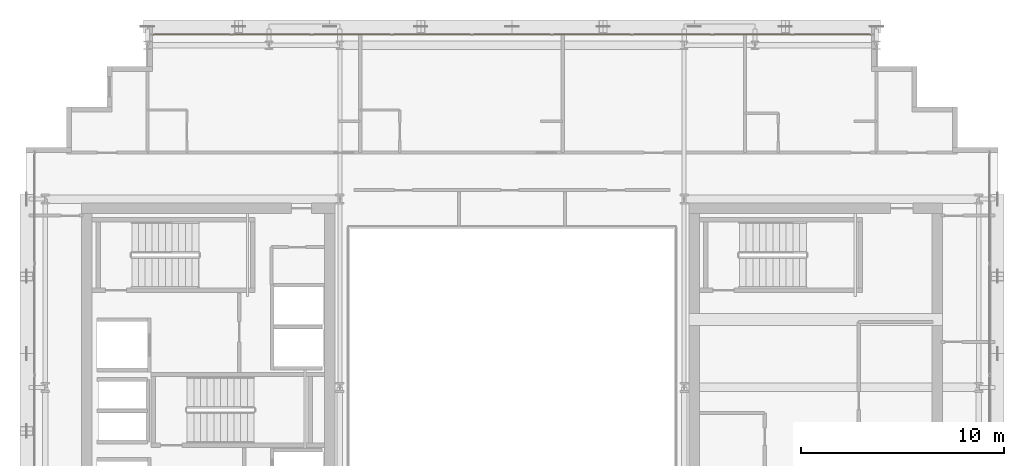
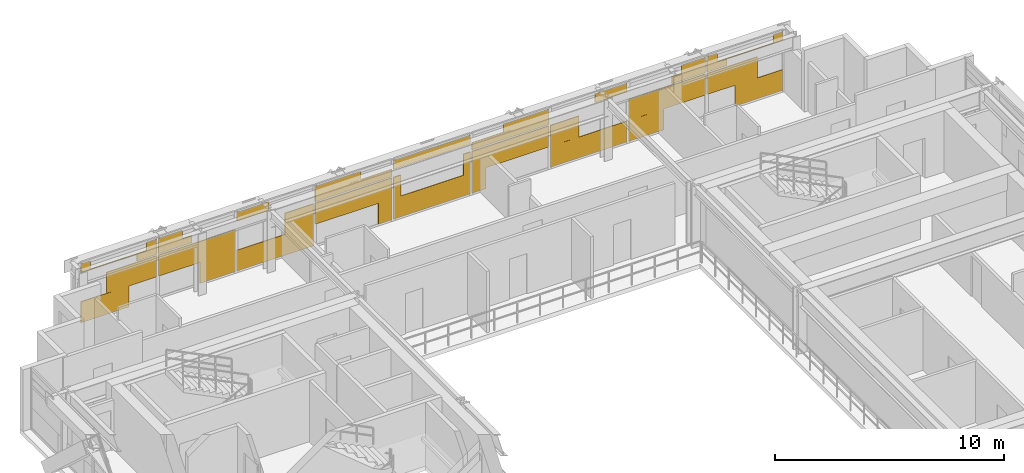
# One storey, part 32 of 32: 1 covering.
"""IFC4 building model written with IfcOpenShell, lengths in metres."""

import ifcopenshell
import ifcopenshell.guid

model = None  # the IFC model being written
_history = None  # IfcOwnerHistory: only IFC2X3 demands one
_inside = {}  # id of a spatial element -> (the spatial element, [elements in it])
_under = {}  # id of a project, library or spatial element -> (it, [spatial elements below it])
_declared = {}  # id of a project -> (the project, [libraries it declares])
_typed = {}  # id of a type object -> (the type object, [elements of that type])
_made_of = {}  # id of a material, layer set ... -> (it, [elements and type objects made of it])


def new_model(schema):
    """Start an empty IFC model of exactly this schema.

    Asked for "IFC4X3", IfcOpenShell would pick the latest addendum, in which some entities
    have other attributes; the version numbers below select the first issue.
    IFC2X3 requires an IfcOwnerHistory on every rooted entity: one is made here for all.
    """
    global model, _history
    if schema == "IFC4X3":
        model = ifcopenshell.file(schema_version=(4, 3, 0, 0))
    else:
        model = ifcopenshell.file(schema=schema)
    _inside.clear()
    _under.clear()
    _declared.clear()
    _typed.clear()
    _made_of.clear()
    _history = None
    if model.schema == "IFC2X3":
        org = make("IfcOrganization", Name="unknown")
        user = make(
            "IfcPersonAndOrganization",
            ThePerson=make("IfcPerson", FamilyName="unknown"),
            TheOrganization=org,
        )
        app = make(
            "IfcApplication",
            ApplicationDeveloper=org,
            Version="unknown",
            ApplicationFullName="unknown",
            ApplicationIdentifier="unknown",
        )
        _history = make(
            "IfcOwnerHistory",
            OwningUser=user,
            OwningApplication=app,
            ChangeAction="ADDED",
            CreationDate=0,
        )
    return model


def make(cls, **values):
    """One entity of the class cls with the attributes given. An attribute that is None is left unset."""
    return model.create_entity(
        cls, **{name: value for name, value in values.items() if value is not None}
    )


def rooted(cls, **values):
    """An entity with a GlobalId (a new one), such as an element, a storey or a relation."""
    return make(cls, GlobalId=ifcopenshell.guid.new(), OwnerHistory=_history, **values)


def si_unit(unit_type, name, prefix=None):
    """IfcSIUnit, for example si_unit("LENGTHUNIT", "METRE", prefix="MILLI")."""
    return make("IfcSIUnit", UnitType=unit_type, Prefix=prefix, Name=name)


def assignment(units):
    """IfcUnitAssignment: the units of a project."""
    return None if units is None else make("IfcUnitAssignment", Units=units)


def point(xyz):
    """IfcCartesianPoint."""
    return None if xyz is None else make("IfcCartesianPoint", Coordinates=xyz)


def direction(xyz):
    """IfcDirection."""
    return None if xyz is None else make("IfcDirection", DirectionRatios=xyz)


def frame(location, z_axis=None, x_axis=None):
    """IfcAxis2Placement3D, a coordinate frame: its origin and axes. An axis left out is left unset."""
    return make(
        "IfcAxis2Placement3D",
        Location=point(location),
        Axis=direction(z_axis),
        RefDirection=direction(x_axis),
    )


def frame_2d(location, x_axis=None):
    """IfcAxis2Placement2D, a coordinate frame in the plane: its origin and x axis."""
    return make(
        "IfcAxis2Placement2D", Location=point(location), RefDirection=direction(x_axis)
    )


def origin():
    """The frame at (0, 0, 0) with its axes left unset."""
    return frame((0.0, 0.0, 0.0))


def origin_2d():
    """The frame at (0, 0) in the plane with its x axis left unset."""
    return frame_2d((0.0, 0.0))


def place(relative_to, where):
    """IfcLocalPlacement: puts the frame where relative to a parent placement (None: the world)."""
    return make(
        "IfcLocalPlacement", PlacementRelTo=relative_to, RelativePlacement=where
    )


def context(
    kind, dimensions, precision=None, world=None, true_north=None, identifier=None
):
    """IfcGeometricRepresentationContext, for example the 3D "Model" context."""
    return make(
        "IfcGeometricRepresentationContext",
        ContextIdentifier=identifier,
        ContextType=kind,
        CoordinateSpaceDimension=dimensions,
        Precision=precision,
        WorldCoordinateSystem=world,
        TrueNorth=true_north,
    )


def subcontext(parent, identifier, kind, view, scale=None):
    """IfcGeometricRepresentationSubContext, for example "Body" below "Model"."""
    return make(
        "IfcGeometricRepresentationSubContext",
        ContextIdentifier=identifier,
        ContextType=kind,
        ParentContext=parent,
        TargetScale=scale,
        TargetView=view,
    )


def project(units=None, contexts=None):
    """IfcProject with its units and contexts."""
    return rooted(
        "IfcProject",
        Name="project",
        RepresentationContexts=contexts,
        UnitsInContext=assignment(units),
    )


def spatial(cls, under=None, at=None, **own):
    """A site, building, storey or space (cls), placed at a placement, below another one or the project."""
    s = rooted(cls, ObjectPlacement=at, **own)
    if under is not None:
        _under.setdefault(under.id(), (under, []))[1].append(s)
    return s


def profile(cls, at=None, kind="AREA", **sizes):
    """A parametric profile (cls). Its sizes go by their IFC names, for example OverallWidth=200.0."""
    return make(cls, ProfileType=kind, Position=at, **sizes)


def rectangle(**sizes):
    """IfcRectangleProfileDef."""
    return profile("IfcRectangleProfileDef", **sizes)


def extrude(swept, where, along, depth):
    """IfcExtrudedAreaSolid: the profile swept, set in the frame where, extruded along a direction by depth."""
    return make(
        "IfcExtrudedAreaSolid",
        SweptArea=swept,
        Position=where,
        ExtrudedDirection=direction(along),
        Depth=depth,
    )


def shape(context_of_items, identifier, shape_type, items):
    """IfcShapeRepresentation: the items that make up one representation, for example the "Body"."""
    return make(
        "IfcShapeRepresentation",
        ContextOfItems=context_of_items,
        RepresentationIdentifier=identifier,
        RepresentationType=shape_type,
        Items=items,
    )


def material(Name=None, Category=None):
    """IfcMaterial."""
    return make("IfcMaterial", Name=Name, Category=Category)


def layer(
    of_material, thickness, ventilated=None, Name=None, Category=None, Priority=None
):
    """IfcMaterialLayer: one layer of a wall or slab, of a material (None: an air gap)."""
    return make(
        "IfcMaterialLayer",
        Material=of_material,
        LayerThickness=thickness,
        IsVentilated=ventilated,
        Name=Name,
        Category=Category,
        Priority=Priority,
    )


def layer_set(layers, Name=None):
    """IfcMaterialLayerSet."""
    return make("IfcMaterialLayerSet", MaterialLayers=layers, LayerSetName=Name)


def made_of(thing, what):
    """Note that an element or type object is made of a material, layer set ...; save() writes the relation."""
    if what is not None:
        _made_of.setdefault(what.id(), (what, []))[1].append(thing)
    return thing


def type_object(cls, material=None, **own):
    """A type object (cls), such as IfcWallType, which elements share."""
    return made_of(rooted(cls, **own), material)


def element(
    cls,
    number,
    at=None,
    inside=None,
    cuts=None,
    type_object=None,
    material=None,
    context=None,
    identifier="Body",
    shape_type=None,
    held_by="IfcProductDefinitionShape",
    body=None,
    shapes=None,
    **own,
):
    """One element of the class cls, such as IfcWall. Its Tag is "e" and its number.

    at: its placement. inside: the storey or other place that contains it. cuts: it is an
    opening in that element (IfcRelVoidsElement). A single representation is given by context,
    identifier, shape_type and body (its items); several are given by shapes. held_by: the class
    of the entity that holds the representations. save() writes the other relations.
    """
    e = rooted(cls, Tag="e%d" % number, ObjectPlacement=at, **own)
    if body is not None:
        shapes = [shape(context, identifier, shape_type, body)]
    if shapes is not None:
        e.Representation = make(held_by, Representations=shapes)
    if inside is not None:
        _inside.setdefault(inside.id(), (inside, []))[1].append(e)
    if cuts is not None:
        rooted(
            "IfcRelVoidsElement", RelatingBuildingElement=cuts, RelatedOpeningElement=e
        )
    if type_object is not None:
        _typed.setdefault(type_object.id(), (type_object, []))[1].append(e)
    return made_of(e, material)


def aggregate(whole, parts):
    """IfcRelAggregates: a whole, such as a stair, and the parts it consists of."""
    return rooted("IfcRelAggregates", RelatingObject=whole, RelatedObjects=parts)


def save(model, path):
    """Write the relations noted so far, then the file.

    IfcRelAggregates (storeys below a building ...), IfcRelContainedInSpatialStructure (elements
    in a storey), IfcRelDefinesByType, IfcRelAssociatesMaterial and IfcRelDeclares: one each for
    every whole, place, type object, material and project.
    """
    for whole, parts in _under.values():
        aggregate(whole, parts)
    for where, things in _inside.values():
        rooted(
            "IfcRelContainedInSpatialStructure",
            RelatedElements=things,
            RelatingStructure=where,
        )
    for kind, things in _typed.values():
        rooted("IfcRelDefinesByType", RelatedObjects=things, RelatingType=kind)
    for what, things in _made_of.values():
        rooted("IfcRelAssociatesMaterial", RelatedObjects=things, RelatingMaterial=what)
    for by, libraries in _declared.values():
        rooted("IfcRelDeclares", RelatingContext=by, RelatedDefinitions=libraries)
    model.write(path)


model = new_model("IFC4")

# Units and contexts
model_context = context("Model", 3, precision=1e-05, world=origin(), true_north=direction((0.0, 1.0)))
body_context = subcontext(model_context, "Body", "Model", "MODEL_VIEW")
ifc_project = project(units=[si_unit("LENGTHUNIT", "METRE"), si_unit("AREAUNIT", "SQUARE_METRE"), si_unit("VOLUMEUNIT", "CUBIC_METRE"), si_unit("PLANEANGLEUNIT", "RADIAN"), si_unit("MASSUNIT", "GRAM", prefix="KILO")], contexts=[model_context])

# Site, building, storey
site_placement = place(None, origin())
site = spatial("IfcSite", under=ifc_project, at=site_placement, CompositionType="ELEMENT")
building_placement = place(site_placement, origin())
building = spatial("IfcBuilding", under=site, at=building_placement, Name="Ocotamira Hotel", CompositionType="ELEMENT")
storey_placement = place(building_placement, frame((0.0, 0.0, 217.199951171875)))
storey = spatial("IfcBuildingStorey", under=building, at=storey_placement, Name="L55", CompositionType="ELEMENT", Elevation=217.199951171875)

# Covering
ifc_material = material(Name="Insulated pale-metal aluminium spandrel panel", Category="aluminium")
ifc_layer = layer(ifc_material, 0.044921875)
ifc_layer_set = layer_set([ifc_layer], Name="Insulated pale-metal aluminium spandrel panel")
covering_type = type_object("IfcCoveringType", Name="COV-INFILL-45", PredefinedType="CLADDING", material=ifc_layer_set)
covering_placement = place(storey_placement, origin())
element("IfcCovering", 1, at=covering_placement, inside=storey, type_object=covering_type, Name="L55 Curtain Wall Infill CW-4 CW-L55-N", PredefinedType="CLADDING", context=body_context, shape_type="SweptSolid", body=[
    extrude(rectangle(XDim=2.433837890625, YDim=0.044921875, at=origin_2d()), frame((15.49755859375, 45.580078125, 0.07568359375), z_axis=(0.0, 0.0, 1.0), x_axis=(1.0, 0.0, 0.0)), (0.0, 0.0, 1.0), 1.117919921875),
    extrude(rectangle(XDim=2.537841796875, YDim=0.044921875, at=origin_2d()), frame((16.84619140625, 45.580078125, 1.1943359375), z_axis=(0.0, 0.0, 1.0), x_axis=(1.0, 0.0, 0.0)), (0.0, 0.0, 1.0), 1.11767578125),
    extrude(rectangle(XDim=3.834716796875, YDim=0.044921875, at=origin_2d()), frame((16.19775390625, 45.580078125, 2.7421875), z_axis=(0.0, 0.0, 1.0), x_axis=(1.0, 0.0, 0.0)), (0.0, 0.0, 1.0), 0.02685546875),
    extrude(rectangle(XDim=0.494873046875, YDim=0.044921875, at=origin_2d()), frame((14.528076171875, 45.580078125, 2.77001953125), z_axis=(0.0, 0.0, 1.0), x_axis=(1.0, 0.0, 0.0)), (0.0, 0.0, 1.0), 0.4345703125),
    extrude(rectangle(XDim=1.00732421875, YDim=0.044921875, at=origin_2d()), frame((17.611328125, 45.580078125, 2.38818359375), z_axis=(0.0, 0.0, 1.0), x_axis=(1.0, 0.0, 0.0)), (0.0, 0.0, 1.0), 0.35302734375),
    extrude(rectangle(XDim=0.517578125, YDim=0.044921875, at=origin_2d()), frame((17.856201171875, 45.580078125, 2.77001953125), z_axis=(0.0, 0.0, 1.0), x_axis=(1.0, 0.0, 0.0)), (0.0, 0.0, 1.0), 0.4345703125),
    extrude(rectangle(XDim=3.87451171875, YDim=0.044921875, at=origin_2d()), frame((20.13330078125, 45.580078125, 1.1943359375), z_axis=(0.0, 0.0, 1.0), x_axis=(1.0, 0.0, 0.0)), (0.0, 0.0, 1.0), 1.11767578125),
    extrude(rectangle(XDim=1.784912109375, YDim=0.044921875, at=origin_2d()), frame((21.177978515625, 45.580078125, 0.07568359375), z_axis=(0.0, 0.0, 1.0), x_axis=(1.0, 0.0, 0.0)), (0.0, 0.0, 1.0), 1.117919921875),
    extrude(rectangle(XDim=1.6962890625, YDim=0.044921875, at=origin_2d()), frame((19.044189453125, 45.580078125, 2.38818359375), z_axis=(0.0, 0.0, 1.0), x_axis=(1.0, 0.0, 0.0)), (0.0, 0.0, 1.0), 0.380859375),
    extrude(rectangle(XDim=1.20654296875, YDim=0.044921875, at=origin_2d()), frame((18.79931640625, 45.580078125, 2.77001953125), z_axis=(0.0, 0.0, 1.0), x_axis=(1.0, 0.0, 0.0)), (0.0, 0.0, 1.0), 0.4345703125),
    extrude(rectangle(XDim=3.87451171875, YDim=0.044921875, at=origin_2d()), frame((24.0888671875, 45.580078125, 0.07568359375), z_axis=(0.0, 0.0, 1.0), x_axis=(1.0, 0.0, 0.0)), (0.0, 0.0, 1.0), 1.117919921875),
    extrude(rectangle(XDim=1.448974609375, YDim=0.044921875, at=origin_2d()), frame((25.3017578125, 45.580078125, 1.1943359375), z_axis=(0.0, 0.0, 1.0), x_axis=(1.0, 0.0, 0.0)), (0.0, 0.0, 1.0), 1.11767578125),
    extrude(rectangle(XDim=1.623779296875, YDim=0.044921875, at=origin_2d()), frame((22.96337890625, 45.580078125, 2.7421875), z_axis=(0.0, 0.0, 1.0), x_axis=(1.0, 0.0, 0.0)), (0.0, 0.0, 1.0), 0.46240234375),
    extrude(rectangle(XDim=3.87451171875, YDim=0.044921875, at=origin_2d()), frame((28.04443359375, 45.580078125, 1.1943359375), z_axis=(0.0, 0.0, 1.0), x_axis=(1.0, 0.0, 0.0)), (0.0, 0.0, 1.0), 1.11767578125),
    extrude(rectangle(XDim=0.696044921875, YDim=0.044921875, at=origin_2d()), frame((29.6337890625, 45.580078125, 0.07568359375), z_axis=(0.0, 0.0, 1.0), x_axis=(1.0, 0.0, 0.0)), (0.0, 0.0, 1.0), 1.117919921875),
    extrude(rectangle(XDim=3.87451171875, YDim=0.044921875, at=origin_2d()), frame((28.04443359375, 45.580078125, 2.38818359375), z_axis=(0.0, 0.0, 1.0), x_axis=(1.0, 0.0, 0.0)), (0.0, 0.0, 1.0), 0.380859375),
    extrude(rectangle(XDim=2.29541015625, YDim=0.044921875, at=origin_2d()), frame((27.2548828125, 45.580078125, 2.77001953125), z_axis=(0.0, 0.0, 1.0), x_axis=(1.0, 0.0, 0.0)), (0.0, 0.0, 1.0), 0.4345703125),
    extrude(rectangle(XDim=3.87451171875, YDim=0.044921875, at=origin_2d()), frame((32.0, 45.580078125, 0.07568359375), z_axis=(0.0, 0.0, 1.0), x_axis=(1.0, 0.0, 0.0)), (0.0, 0.0, 1.0), 1.117919921875),
    extrude(rectangle(XDim=0.360107421875, YDim=0.044921875, at=origin_2d()), frame((30.24267578125, 45.580078125, 1.1943359375), z_axis=(0.0, 0.0, 1.0), x_axis=(1.0, 0.0, 0.0)), (0.0, 0.0, 1.0), 1.11767578125),
    extrude(rectangle(XDim=0.360107421875, YDim=0.044921875, at=origin_2d()), frame((33.75732421875, 45.580078125, 1.1943359375), z_axis=(0.0, 0.0, 1.0), x_axis=(1.0, 0.0, 0.0)), (0.0, 0.0, 1.0), 1.11767578125),
    extrude(rectangle(XDim=3.87451171875, YDim=0.044921875, at=origin_2d()), frame((32.0, 45.580078125, 2.7421875), z_axis=(0.0, 0.0, 1.0), x_axis=(1.0, 0.0, 0.0)), (0.0, 0.0, 1.0), 0.46240234375),
    extrude(rectangle(XDim=0.696044921875, YDim=0.044921875, at=origin_2d()), frame((34.3662109375, 45.580078125, 0.07568359375), z_axis=(0.0, 0.0, 1.0), x_axis=(1.0, 0.0, 0.0)), (0.0, 0.0, 1.0), 1.117919921875),
    extrude(rectangle(XDim=3.87451171875, YDim=0.044921875, at=origin_2d()), frame((35.95556640625, 45.580078125, 1.1943359375), z_axis=(0.0, 0.0, 1.0), x_axis=(1.0, 0.0, 0.0)), (0.0, 0.0, 1.0), 1.11767578125),
    extrude(rectangle(XDim=3.87451171875, YDim=0.044921875, at=origin_2d()), frame((35.95556640625, 45.580078125, 2.38818359375), z_axis=(0.0, 0.0, 1.0), x_axis=(1.0, 0.0, 0.0)), (0.0, 0.0, 1.0), 0.380859375),
    extrude(rectangle(XDim=2.29541015625, YDim=0.044921875, at=origin_2d()), frame((36.7451171875, 45.580078125, 2.77001953125), z_axis=(0.0, 0.0, 1.0), x_axis=(1.0, 0.0, 0.0)), (0.0, 0.0, 1.0), 0.4345703125),
    extrude(rectangle(XDim=3.87451171875, YDim=0.044921875, at=origin_2d()), frame((39.9111328125, 45.580078125, 0.07568359375), z_axis=(0.0, 0.0, 1.0), x_axis=(1.0, 0.0, 0.0)), (0.0, 0.0, 1.0), 1.117919921875),
    extrude(rectangle(XDim=1.448974609375, YDim=0.044921875, at=origin_2d()), frame((38.6982421875, 45.580078125, 1.1943359375), z_axis=(0.0, 0.0, 1.0), x_axis=(1.0, 0.0, 0.0)), (0.0, 0.0, 1.0), 1.11767578125),
    extrude(rectangle(XDim=1.623779296875, YDim=0.044921875, at=origin_2d()), frame((41.03662109375, 45.580078125, 2.7421875), z_axis=(0.0, 0.0, 1.0), x_axis=(1.0, 0.0, 0.0)), (0.0, 0.0, 1.0), 0.46240234375),
    extrude(rectangle(XDim=1.784912109375, YDim=0.044921875, at=origin_2d()), frame((42.822021484375, 45.580078125, 0.07568359375), z_axis=(0.0, 0.0, 1.0), x_axis=(1.0, 0.0, 0.0)), (0.0, 0.0, 1.0), 1.117919921875),
    extrude(rectangle(XDim=3.87451171875, YDim=0.044921875, at=origin_2d()), frame((43.86669921875, 45.580078125, 1.1943359375), z_axis=(0.0, 0.0, 1.0), x_axis=(1.0, 0.0, 0.0)), (0.0, 0.0, 1.0), 1.11767578125),
    extrude(rectangle(XDim=1.6962890625, YDim=0.044921875, at=origin_2d()), frame((44.955810546875, 45.580078125, 2.38818359375), z_axis=(0.0, 0.0, 1.0), x_axis=(1.0, 0.0, 0.0)), (0.0, 0.0, 1.0), 0.380859375),
    extrude(rectangle(XDim=1.20654296875, YDim=0.044921875, at=origin_2d()), frame((45.20068359375, 45.580078125, 2.77001953125), z_axis=(0.0, 0.0, 1.0), x_axis=(1.0, 0.0, 0.0)), (0.0, 0.0, 1.0), 0.4345703125),
    extrude(rectangle(XDim=2.537841796875, YDim=0.044921875, at=origin_2d()), frame((47.15380859375, 45.580078125, 1.1943359375), z_axis=(0.0, 0.0, 1.0), x_axis=(1.0, 0.0, 0.0)), (0.0, 0.0, 1.0), 1.11767578125),
    extrude(rectangle(XDim=2.433837890625, YDim=0.044921875, at=origin_2d()), frame((48.50244140625, 45.580078125, 0.07568359375), z_axis=(0.0, 0.0, 1.0), x_axis=(1.0, 0.0, 0.0)), (0.0, 0.0, 1.0), 1.117919921875),
    extrude(rectangle(XDim=1.00732421875, YDim=0.044921875, at=origin_2d()), frame((46.388671875, 45.580078125, 2.38818359375), z_axis=(0.0, 0.0, 1.0), x_axis=(1.0, 0.0, 0.0)), (0.0, 0.0, 1.0), 0.35302734375),
    extrude(rectangle(XDim=3.834716796875, YDim=0.044921875, at=origin_2d()), frame((47.80224609375, 45.580078125, 2.7421875), z_axis=(0.0, 0.0, 1.0), x_axis=(1.0, 0.0, 0.0)), (0.0, 0.0, 1.0), 0.02685546875),
    extrude(rectangle(XDim=0.517578125, YDim=0.044921875, at=origin_2d()), frame((46.143798828125, 45.580078125, 2.77001953125), z_axis=(0.0, 0.0, 1.0), x_axis=(1.0, 0.0, 0.0)), (0.0, 0.0, 1.0), 0.4345703125),
    extrude(rectangle(XDim=0.494873046875, YDim=0.044921875, at=origin_2d()), frame((49.471923828125, 45.580078125, 2.77001953125), z_axis=(0.0, 0.0, 1.0), x_axis=(1.0, 0.0, 0.0)), (0.0, 0.0, 1.0), 0.4345703125),
])

save(model, "model.ifc")
